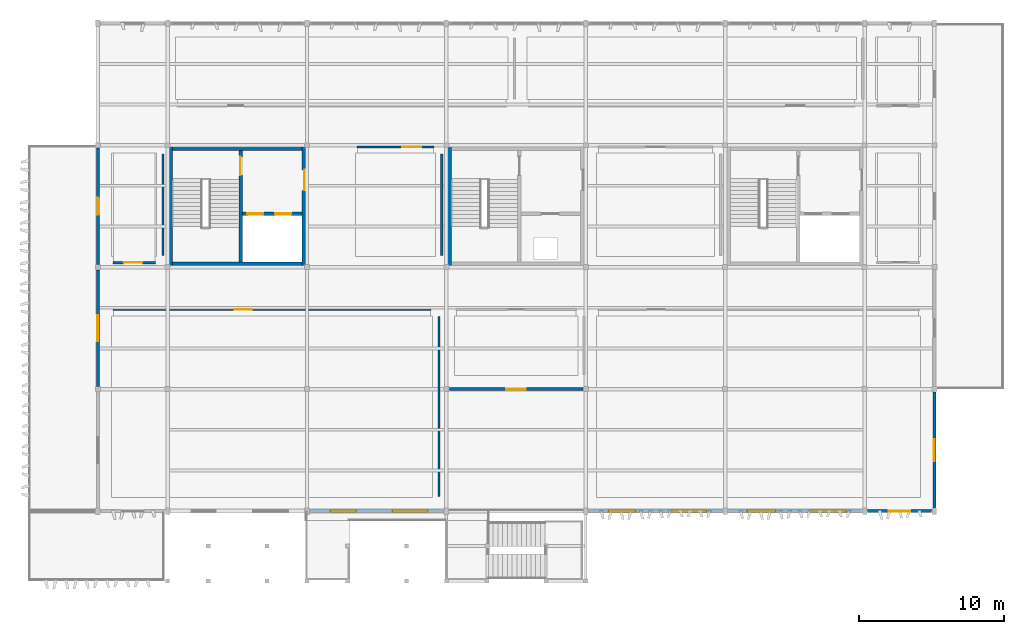
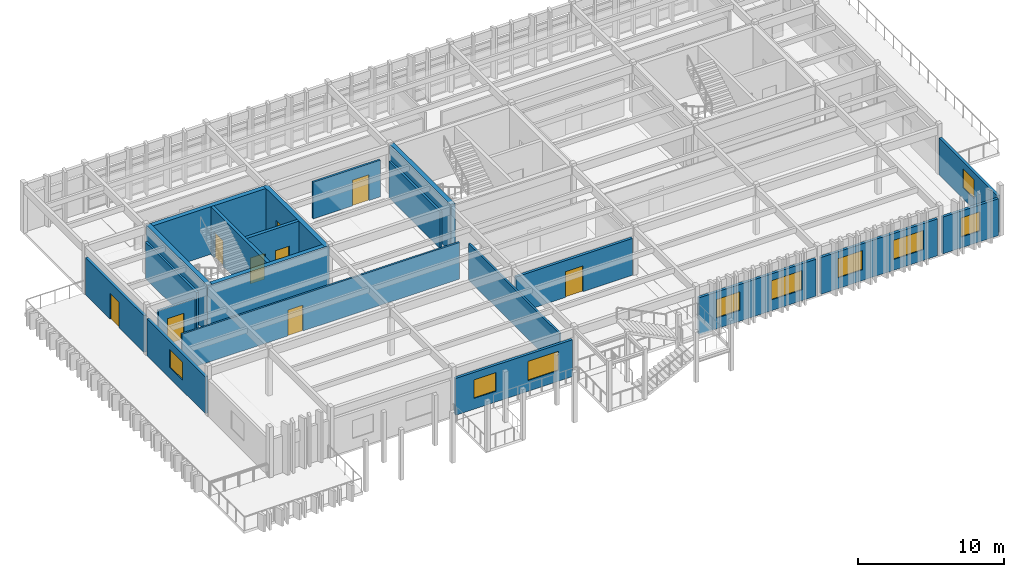
# One storey, part 8 of 14: 21 walls, 9 doors, 9 windows, 18 openings.
"""IFC4 building model written with IfcOpenShell, lengths in metres."""

import ifcopenshell
import ifcopenshell.guid

model = None  # the IFC model being written
_history = None  # IfcOwnerHistory: only IFC2X3 demands one
_inside = {}  # id of a spatial element -> (the spatial element, [elements in it])
_under = {}  # id of a project, library or spatial element -> (it, [spatial elements below it])
_declared = {}  # id of a project -> (the project, [libraries it declares])
_typed = {}  # id of a type object -> (the type object, [elements of that type])
_made_of = {}  # id of a material, layer set ... -> (it, [elements and type objects made of it])


def new_model(schema):
    """Start an empty IFC model of exactly this schema.

    Asked for "IFC4X3", IfcOpenShell would pick the latest addendum, in which some entities
    have other attributes; the version numbers below select the first issue.
    IFC2X3 requires an IfcOwnerHistory on every rooted entity: one is made here for all.
    """
    global model, _history
    if schema == "IFC4X3":
        model = ifcopenshell.file(schema_version=(4, 3, 0, 0))
    else:
        model = ifcopenshell.file(schema=schema)
    _inside.clear()
    _under.clear()
    _declared.clear()
    _typed.clear()
    _made_of.clear()
    _history = None
    if model.schema == "IFC2X3":
        org = make("IfcOrganization", Name="unknown")
        user = make(
            "IfcPersonAndOrganization",
            ThePerson=make("IfcPerson", FamilyName="unknown"),
            TheOrganization=org,
        )
        app = make(
            "IfcApplication",
            ApplicationDeveloper=org,
            Version="unknown",
            ApplicationFullName="unknown",
            ApplicationIdentifier="unknown",
        )
        _history = make(
            "IfcOwnerHistory",
            OwningUser=user,
            OwningApplication=app,
            ChangeAction="ADDED",
            CreationDate=0,
        )
    return model


def make(cls, **values):
    """One entity of the class cls with the attributes given. An attribute that is None is left unset."""
    return model.create_entity(
        cls, **{name: value for name, value in values.items() if value is not None}
    )


def rooted(cls, **values):
    """An entity with a GlobalId (a new one), such as an element, a storey or a relation."""
    return make(cls, GlobalId=ifcopenshell.guid.new(), OwnerHistory=_history, **values)


def si_unit(unit_type, name, prefix=None):
    """IfcSIUnit, for example si_unit("LENGTHUNIT", "METRE", prefix="MILLI")."""
    return make("IfcSIUnit", UnitType=unit_type, Prefix=prefix, Name=name)


def assignment(units):
    """IfcUnitAssignment: the units of a project."""
    return None if units is None else make("IfcUnitAssignment", Units=units)


def point(xyz):
    """IfcCartesianPoint."""
    return None if xyz is None else make("IfcCartesianPoint", Coordinates=xyz)


def direction(xyz):
    """IfcDirection."""
    return None if xyz is None else make("IfcDirection", DirectionRatios=xyz)


def frame(location, z_axis=None, x_axis=None):
    """IfcAxis2Placement3D, a coordinate frame: its origin and axes. An axis left out is left unset."""
    return make(
        "IfcAxis2Placement3D",
        Location=point(location),
        Axis=direction(z_axis),
        RefDirection=direction(x_axis),
    )


def frame_2d(location, x_axis=None):
    """IfcAxis2Placement2D, a coordinate frame in the plane: its origin and x axis."""
    return make(
        "IfcAxis2Placement2D", Location=point(location), RefDirection=direction(x_axis)
    )


def origin():
    """The frame at (0, 0, 0) with its axes left unset."""
    return frame((0.0, 0.0, 0.0))


def place(relative_to, where):
    """IfcLocalPlacement: puts the frame where relative to a parent placement (None: the world)."""
    return make(
        "IfcLocalPlacement", PlacementRelTo=relative_to, RelativePlacement=where
    )


def context(
    kind, dimensions, precision=None, world=None, true_north=None, identifier=None
):
    """IfcGeometricRepresentationContext, for example the 3D "Model" context."""
    return make(
        "IfcGeometricRepresentationContext",
        ContextIdentifier=identifier,
        ContextType=kind,
        CoordinateSpaceDimension=dimensions,
        Precision=precision,
        WorldCoordinateSystem=world,
        TrueNorth=true_north,
    )


def subcontext(parent, identifier, kind, view, scale=None):
    """IfcGeometricRepresentationSubContext, for example "Body" below "Model"."""
    return make(
        "IfcGeometricRepresentationSubContext",
        ContextIdentifier=identifier,
        ContextType=kind,
        ParentContext=parent,
        TargetScale=scale,
        TargetView=view,
    )


def project(units=None, contexts=None):
    """IfcProject with its units and contexts."""
    return rooted(
        "IfcProject",
        Name="project",
        RepresentationContexts=contexts,
        UnitsInContext=assignment(units),
    )


def spatial(cls, under=None, at=None, **own):
    """A site, building, storey or space (cls), placed at a placement, below another one or the project."""
    s = rooted(cls, ObjectPlacement=at, **own)
    if under is not None:
        _under.setdefault(under.id(), (under, []))[1].append(s)
    return s


def profile(cls, at=None, kind="AREA", **sizes):
    """A parametric profile (cls). Its sizes go by their IFC names, for example OverallWidth=200.0."""
    return make(cls, ProfileType=kind, Position=at, **sizes)


def rectangle(**sizes):
    """IfcRectangleProfileDef."""
    return profile("IfcRectangleProfileDef", **sizes)


def extrude(swept, where, along, depth):
    """IfcExtrudedAreaSolid: the profile swept, set in the frame where, extruded along a direction by depth."""
    return make(
        "IfcExtrudedAreaSolid",
        SweptArea=swept,
        Position=where,
        ExtrudedDirection=direction(along),
        Depth=depth,
    )


def shape(context_of_items, identifier, shape_type, items):
    """IfcShapeRepresentation: the items that make up one representation, for example the "Body"."""
    return make(
        "IfcShapeRepresentation",
        ContextOfItems=context_of_items,
        RepresentationIdentifier=identifier,
        RepresentationType=shape_type,
        Items=items,
    )


def material(Name=None, Category=None):
    """IfcMaterial."""
    return make("IfcMaterial", Name=Name, Category=Category)


def layer(
    of_material, thickness, ventilated=None, Name=None, Category=None, Priority=None
):
    """IfcMaterialLayer: one layer of a wall or slab, of a material (None: an air gap)."""
    return make(
        "IfcMaterialLayer",
        Material=of_material,
        LayerThickness=thickness,
        IsVentilated=ventilated,
        Name=Name,
        Category=Category,
        Priority=Priority,
    )


def layer_set(layers, Name=None):
    """IfcMaterialLayerSet."""
    return make("IfcMaterialLayerSet", MaterialLayers=layers, LayerSetName=Name)


def made_of(thing, what):
    """Note that an element or type object is made of a material, layer set ...; save() writes the relation."""
    if what is not None:
        _made_of.setdefault(what.id(), (what, []))[1].append(thing)
    return thing


def type_object(cls, material=None, **own):
    """A type object (cls), such as IfcWallType, which elements share."""
    return made_of(rooted(cls, **own), material)


def element(
    cls,
    number,
    at=None,
    inside=None,
    cuts=None,
    type_object=None,
    material=None,
    context=None,
    identifier="Body",
    shape_type=None,
    held_by="IfcProductDefinitionShape",
    body=None,
    shapes=None,
    **own,
):
    """One element of the class cls, such as IfcWall. Its Tag is "e" and its number.

    at: its placement. inside: the storey or other place that contains it. cuts: it is an
    opening in that element (IfcRelVoidsElement). A single representation is given by context,
    identifier, shape_type and body (its items); several are given by shapes. held_by: the class
    of the entity that holds the representations. save() writes the other relations.
    """
    e = rooted(cls, Tag="e%d" % number, ObjectPlacement=at, **own)
    if body is not None:
        shapes = [shape(context, identifier, shape_type, body)]
    if shapes is not None:
        e.Representation = make(held_by, Representations=shapes)
    if inside is not None:
        _inside.setdefault(inside.id(), (inside, []))[1].append(e)
    if cuts is not None:
        rooted(
            "IfcRelVoidsElement", RelatingBuildingElement=cuts, RelatedOpeningElement=e
        )
    if type_object is not None:
        _typed.setdefault(type_object.id(), (type_object, []))[1].append(e)
    return made_of(e, material)


def fill(opening, filler):
    """IfcRelFillsElement: the door or window that sits in an opening."""
    return rooted(
        "IfcRelFillsElement",
        RelatingOpeningElement=opening,
        RelatedBuildingElement=filler,
    )


def aggregate(whole, parts):
    """IfcRelAggregates: a whole, such as a stair, and the parts it consists of."""
    return rooted("IfcRelAggregates", RelatingObject=whole, RelatedObjects=parts)


def save(model, path):
    """Write the relations noted so far, then the file.

    IfcRelAggregates (storeys below a building ...), IfcRelContainedInSpatialStructure (elements
    in a storey), IfcRelDefinesByType, IfcRelAssociatesMaterial and IfcRelDeclares: one each for
    every whole, place, type object, material and project.
    """
    for whole, parts in _under.values():
        aggregate(whole, parts)
    for where, things in _inside.values():
        rooted(
            "IfcRelContainedInSpatialStructure",
            RelatedElements=things,
            RelatingStructure=where,
        )
    for kind, things in _typed.values():
        rooted("IfcRelDefinesByType", RelatedObjects=things, RelatingType=kind)
    for what, things in _made_of.values():
        rooted("IfcRelAssociatesMaterial", RelatedObjects=things, RelatingMaterial=what)
    for by, libraries in _declared.values():
        rooted("IfcRelDeclares", RelatingContext=by, RelatedDefinitions=libraries)
    model.write(path)


model = new_model("IFC4")

# Units and contexts
model_context = context("Model", 3, precision=1e-05, world=origin(), true_north=direction((0.0, 1.0)))
body_context = subcontext(model_context, "Body", "Model", "MODEL_VIEW")
ifc_project = project(units=[si_unit("LENGTHUNIT", "METRE"), si_unit("AREAUNIT", "SQUARE_METRE"), si_unit("VOLUMEUNIT", "CUBIC_METRE"), si_unit("PLANEANGLEUNIT", "RADIAN"), si_unit("MASSUNIT", "GRAM", prefix="KILO")], contexts=[model_context])

# Site, building, storey
site_placement = place(None, origin())
site = spatial("IfcSite", under=ifc_project, at=site_placement, CompositionType="ELEMENT")
building_placement = place(site_placement, origin())
building = spatial("IfcBuilding", under=site, at=building_placement, Name="Kolvemor Railside Polytechnic", CompositionType="ELEMENT")
storey_placement = place(building_placement, frame((0.0, 0.0, 22.800048828125)))
storey = spatial("IfcBuildingStorey", under=building, at=storey_placement, Name="L05", CompositionType="ELEMENT", Elevation=22.800048828125)

# Walls
ifc_material_1 = material(Name="Concrete C40/50", Category="concrete")
ifc_layer_1 = layer(ifc_material_1, 0.35009765625, Name="WL-CORE-350")
ifc_layer_set_1 = layer_set([ifc_layer_1], Name="Concrete C40/50")
wall_type_1 = type_object("IfcWallType", Name="WL-CORE-350", PredefinedType="SHEAR", material=ifc_layer_set_1)
for number, where, z_axis, x_axis, name in (
    (1, (67.199951171875, 29.824951171875, 0.0), (0.0, 0.0, 1.0), (1.0, 0.0, 0.0), "CORE-1 North Core Wall L05"),
    (2, (67.199951171875, 21.77490234375, 0.0), (0.0, 0.0, 1.0), (1.0, 0.0, 0.0), "CORE-1 South Core Wall L05"),
):
    element("IfcWall", number, at=place(storey_placement, frame(where, z_axis=z_axis, x_axis=x_axis)), inside=storey, type_object=wall_type_1, Name=name, PredefinedType="SHEAR", context=body_context, shape_type="SweptSolid", body=[
        extrude(rectangle(XDim=9.60009765625, YDim=0.35009765625, at=frame_2d((4.800048828125, 0.0))), origin(), (0.0, 0.0, 1.0), 3.969970703125),
    ])
wall_1_placement = place(storey_placement, frame((67.375, 21.60009765625, 0.0), z_axis=(0.0, 0.0, 1.0), x_axis=(0.0, 1.0, 0.0)))
element("IfcWall", 3, at=wall_1_placement, inside=storey, type_object=wall_type_1, Name="CORE-1 West Core Wall L05", PredefinedType="SHEAR", context=body_context, shape_type="SweptSolid", body=[
    extrude(rectangle(XDim=8.39990234375, YDim=0.35009765625, at=frame_2d((4.199951171875, 0.0))), origin(), (0.0, 0.0, 1.0), 3.969970703125),
])

# Wall, opening, door
wall_2_placement = place(storey_placement, frame((76.625, 21.60009765625, 0.0), z_axis=(0.0, 0.0, 1.0), x_axis=(0.0, 1.0, 0.0)))
wall_2 = element("IfcWall", 4, at=wall_2_placement, inside=storey, type_object=wall_type_1, Name="CORE-1 East Core Wall L05", PredefinedType="SHEAR", context=body_context, shape_type="SweptSolid", body=[
    extrude(rectangle(XDim=8.39990234375, YDim=0.35009765625, at=frame_2d((4.199951171875, 0.0))), origin(), (0.0, 0.0, 1.0), 3.969970703125),
])
opening_1_placement = place(wall_2_placement, frame((5.300048828125, 0.0, 0.0)))
opening_1 = element("IfcOpeningElement", 5, at=opening_1_placement, cuts=wall_2, Name="Opening D-LOB-1-L05", PredefinedType="OPENING", context=body_context, shape_type="SweptSolid", body=[
    extrude(rectangle(XDim=1.39990234375, YDim=2.14990234375, at=frame_2d((0.699951171875, 1.074951171875))), frame((0.0, 0.18505859375, 0.0), z_axis=(0.0, -1.0, 0.0), x_axis=(1.0, 0.0, 0.0)), (0.0, 0.0, 1.0), 0.3701171875),
])
ifc_material_2 = material(Name="Fire-rated hardwood and brushed stainless-steel door", Category="steel")
door_type_1 = type_object("IfcDoorType", Name="DR-FD60-140x215", OperationType="NOTDEFINED", PredefinedType="DOOR", material=ifc_material_2)
door_1_placement = place(opening_1_placement, origin())
door_1 = element("IfcDoor", 6, at=door_1_placement, inside=storey, type_object=door_type_1, Name="Core Lobby Fire Door CORE-1 L05", OperationType="SINGLE_SWING_RIGHT", OverallHeight=2.14990234375, OverallWidth=1.39990234375, PredefinedType="DOOR", context=body_context, shape_type="SweptSolid", body=[
    extrude(rectangle(XDim=1.39990234375, YDim=2.14990234375, at=frame_2d((0.699951171875, 1.074951171875))), frame((0.0, 0.02490234375, 0.0), z_axis=(0.0, -1.0, 0.0), x_axis=(1.0, 0.0, 0.0)), (0.0, 0.0, 1.0), 0.050048828125),
])
fill(opening_1, door_1)

# Wall
wall_3_placement = place(storey_placement, frame((86.574951171875, 21.60009765625, 0.0), z_axis=(0.0, 0.0, 1.0), x_axis=(0.0, 1.0, 0.0)))
element("IfcWall", 7, at=wall_3_placement, inside=storey, type_object=wall_type_1, Name="CORE-3 West Core Wall L05", PredefinedType="SHEAR", context=body_context, shape_type="SweptSolid", body=[
    extrude(rectangle(XDim=8.39990234375, YDim=0.35009765625, at=frame_2d((4.199951171875, 0.0))), origin(), (0.0, 0.0, 1.0), 3.969970703125),
])

# Wall, opening, window
ifc_material_3 = material(Name="Cross-laminated timber CLT E1", Category="wood")
ifc_layer_2 = layer(ifc_material_3, 0.2099609375, Name="WL-EXT-TM-210")
ifc_layer_set_2 = layer_set([ifc_layer_2], Name="Cross-laminated timber CLT E1")
wall_type_2 = type_object("IfcWallType", Name="WL-EXT-TM-210", PredefinedType="SOLIDWALL", material=ifc_layer_set_2)
wall_4_placement = place(storey_placement, frame((120.0, 5.0, 0.0), z_axis=(0.0, 0.0, 1.0), x_axis=(0.0, 1.0, 0.0)))
wall_4 = element("IfcWall", 8, at=wall_4_placement, inside=storey, type_object=wall_type_2, Name="Exterior Wall L05-0027", PredefinedType="SOLIDWALL", context=body_context, shape_type="SweptSolid", body=[
    extrude(rectangle(XDim=8.0, YDim=0.2099609375, at=frame_2d((4.0, 0.0))), origin(), (0.0, 0.0, 1.0), 3.070068359375),
])
opening_2_placement = place(wall_4_placement, frame((3.25, 0.0, 0.89990234375)))
opening_2 = element("IfcOpeningElement", 9, at=opening_2_placement, cuts=wall_4, Name="Opening WN-STU4", PredefinedType="OPENING", context=body_context, shape_type="SweptSolid", body=[
    extrude(rectangle(XDim=1.5, YDim=1.60009765625, at=frame_2d((0.75, 0.800048828125))), frame((0.0, 0.114990234375, 0.0), z_axis=(0.0, -1.0, 0.0), x_axis=(1.0, 0.0, 0.0)), (0.0, 0.0, 1.0), 0.22998046875),
])
ifc_material_4 = material(Name="Hurricane-laminated thermally broken aluminium window", Category="aluminium")
window_type_1 = type_object("IfcWindowType", Name="WN-STU-150x160", PartitioningType="SINGLE_PANEL", PredefinedType="WINDOW", material=ifc_material_4)
window_1_placement = place(opening_2_placement, origin())
window_1 = element("IfcWindow", 10, at=window_1_placement, inside=storey, type_object=window_type_1, Name="Window L05-0022", OverallHeight=1.60009765625, OverallWidth=1.5, PartitioningType="SINGLE_PANEL", PredefinedType="WINDOW", context=body_context, shape_type="SweptSolid", body=[
    extrude(rectangle(XDim=1.5, YDim=1.60009765625, at=frame_2d((0.75, 0.800048828125))), frame((0.0, 0.030029296875, 0.0), z_axis=(0.0, -1.0, 0.0), x_axis=(1.0, 0.0, 0.0)), (0.0, 0.0, 1.0), 0.06005859375),
])
fill(opening_2, window_1)

# Wall, openings, windows
wall_5_placement = place(storey_placement, frame((77.0, 4.800048828125, 0.0), z_axis=(0.0, 0.0, 1.0), x_axis=(1.0, 0.0, 0.0)))
wall_5 = element("IfcWall", 11, at=wall_5_placement, inside=storey, type_object=wall_type_2, Name="Exterior Wall L05-0140", PredefinedType="SOLIDWALL", context=body_context, shape_type="SweptSolid", body=[
    extrude(rectangle(XDim=9.199951171875, YDim=0.2099609375, at=frame_2d((4.60009765625, 0.0))), origin(), (0.0, 0.0, 1.0), 3.070068359375),
])
opening_3_placement = place(wall_5_placement, frame((1.425048828125, 0.0, 0.89990234375)))
opening_3 = element("IfcOpeningElement", 12, at=opening_3_placement, cuts=wall_5, Name="Opening WN-M05", PredefinedType="OPENING", context=body_context, shape_type="SweptSolid", body=[
    extrude(rectangle(XDim=1.75, YDim=1.550048828125, at=frame_2d((0.875, 0.77490234375))), frame((0.0, 0.114990234375, 0.0), z_axis=(0.0, -1.0, 0.0), x_axis=(1.0, 0.0, 0.0)), (0.0, 0.0, 1.0), 0.22998046875),
])
opening_4_placement = place(wall_5_placement, frame((5.699951171875, 0.0, 0.89990234375)))
opening_4 = element("IfcOpeningElement", 13, at=opening_4_placement, cuts=wall_5, Name="Opening WN-STU3", PredefinedType="OPENING", context=body_context, shape_type="SweptSolid", body=[
    extrude(rectangle(XDim=2.39990234375, YDim=1.60009765625, at=frame_2d((1.199951171875, 0.800048828125))), frame((0.0, 0.114990234375, 0.0), z_axis=(0.0, -1.0, 0.0), x_axis=(1.0, 0.0, 0.0)), (0.0, 0.0, 1.0), 0.22998046875),
])
ifc_material_5 = material(Name="Hurricane-laminated thermally broken aluminium window", Category="aluminium")
window_type_2 = type_object("IfcWindowType", Name="WN-MOD-175x155", PartitioningType="SINGLE_PANEL", PredefinedType="WINDOW", material=ifc_material_5)
window_2_placement = place(opening_3_placement, origin())
window_2 = element("IfcWindow", 14, at=window_2_placement, inside=storey, type_object=window_type_2, Name="Window L05-0150", OverallHeight=1.550048828125, OverallWidth=1.75, PartitioningType="SINGLE_PANEL", PredefinedType="WINDOW", context=body_context, shape_type="SweptSolid", body=[
    extrude(rectangle(XDim=1.75, YDim=1.550048828125, at=frame_2d((0.875, 0.77490234375))), frame((0.0, 0.030029296875, 0.0), z_axis=(0.0, -1.0, 0.0), x_axis=(1.0, 0.0, 0.0)), (0.0, 0.0, 1.0), 0.06005859375),
])
fill(opening_3, window_2)
ifc_material_6 = material(Name="Hurricane-laminated thermally broken aluminium window", Category="aluminium")
window_type_3 = type_object("IfcWindowType", Name="WN-STU-240x160", PartitioningType="DOUBLE_PANEL_VERTICAL", PredefinedType="WINDOW", material=ifc_material_6)
window_3_placement = place(opening_4_placement, origin())
window_3 = element("IfcWindow", 15, at=window_3_placement, inside=storey, type_object=window_type_3, Name="Window L05-0151", OverallHeight=1.60009765625, OverallWidth=2.39990234375, PartitioningType="SINGLE_PANEL", PredefinedType="WINDOW", context=body_context, shape_type="SweptSolid", body=[
    extrude(rectangle(XDim=2.39990234375, YDim=1.60009765625, at=frame_2d((1.199951171875, 0.800048828125))), frame((0.0, 0.030029296875, 0.0), z_axis=(0.0, -1.0, 0.0), x_axis=(1.0, 0.0, 0.0)), (0.0, 0.0, 1.0), 0.06005859375),
])
fill(opening_4, window_3)

wall_6_placement = place(storey_placement, frame((96.199951171875, 4.800048828125, 0.0), z_axis=(0.0, 0.0, 1.0), x_axis=(1.0, 0.0, 0.0)))
wall_6 = element("IfcWall", 16, at=wall_6_placement, inside=storey, type_object=wall_type_2, Name="Exterior Wall L05-0141", PredefinedType="SOLIDWALL", context=body_context, shape_type="SweptSolid", body=[
    extrude(rectangle(XDim=9.199951171875, YDim=0.2099609375, at=frame_2d((4.60009765625, 0.0))), origin(), (0.0, 0.0, 1.0), 3.070068359375),
])
opening_5_placement = place(wall_6_placement, frame((1.375, 0.0, 0.89990234375)))
opening_5 = element("IfcOpeningElement", 17, at=opening_5_placement, cuts=wall_6, Name="Opening WN-M06", PredefinedType="OPENING", context=body_context, shape_type="SweptSolid", body=[
    extrude(rectangle(XDim=1.85009765625, YDim=1.550048828125, at=frame_2d((0.925048828125, 0.77490234375))), frame((0.0, 0.114990234375, 0.0), z_axis=(0.0, -1.0, 0.0), x_axis=(1.0, 0.0, 0.0)), (0.0, 0.0, 1.0), 0.22998046875),
])
opening_6_placement = place(wall_6_placement, frame((5.699951171875, 0.0, 0.89990234375)))
opening_6 = element("IfcOpeningElement", 18, at=opening_6_placement, cuts=wall_6, Name="Opening WN-STU3", PredefinedType="OPENING", context=body_context, shape_type="SweptSolid", body=[
    extrude(rectangle(XDim=2.39990234375, YDim=1.60009765625, at=frame_2d((1.199951171875, 0.800048828125))), frame((0.0, 0.114990234375, 0.0), z_axis=(0.0, -1.0, 0.0), x_axis=(1.0, 0.0, 0.0)), (0.0, 0.0, 1.0), 0.22998046875),
])
ifc_material_7 = material(Name="Hurricane-laminated thermally broken aluminium window", Category="aluminium")
window_type_4 = type_object("IfcWindowType", Name="WN-MOD-185x155", PartitioningType="DOUBLE_PANEL_VERTICAL", PredefinedType="WINDOW", material=ifc_material_7)
window_4_placement = place(opening_5_placement, origin())
window_4 = element("IfcWindow", 19, at=window_4_placement, inside=storey, type_object=window_type_4, Name="Window L05-0152", OverallHeight=1.550048828125, OverallWidth=1.85009765625, PartitioningType="SINGLE_PANEL", PredefinedType="WINDOW", context=body_context, shape_type="SweptSolid", body=[
    extrude(rectangle(XDim=1.85009765625, YDim=1.550048828125, at=frame_2d((0.925048828125, 0.77490234375))), frame((0.0, 0.030029296875, 0.0), z_axis=(0.0, -1.0, 0.0), x_axis=(1.0, 0.0, 0.0)), (0.0, 0.0, 1.0), 0.06005859375),
])
fill(opening_5, window_4)
window_5_placement = place(opening_6_placement, origin())
window_5 = element("IfcWindow", 20, at=window_5_placement, inside=storey, type_object=window_type_3, Name="Window L05-0153", OverallHeight=1.60009765625, OverallWidth=2.39990234375, PartitioningType="SINGLE_PANEL", PredefinedType="WINDOW", context=body_context, shape_type="SweptSolid", body=[
    extrude(rectangle(XDim=2.39990234375, YDim=1.60009765625, at=frame_2d((1.199951171875, 0.800048828125))), frame((0.0, 0.030029296875, 0.0), z_axis=(0.0, -1.0, 0.0), x_axis=(1.0, 0.0, 0.0)), (0.0, 0.0, 1.0), 0.06005859375),
])
fill(opening_6, window_5)

wall_7_placement = place(storey_placement, frame((105.800048828125, 4.800048828125, 0.0), z_axis=(0.0, 0.0, 1.0), x_axis=(1.0, 0.0, 0.0)))
wall_7 = element("IfcWall", 21, at=wall_7_placement, inside=storey, type_object=wall_type_2, Name="Exterior Wall L05-0142", PredefinedType="SOLIDWALL", context=body_context, shape_type="SweptSolid", body=[
    extrude(rectangle(XDim=9.199951171875, YDim=0.2099609375, at=frame_2d((4.60009765625, 0.0))), origin(), (0.0, 0.0, 1.0), 3.070068359375),
])
opening_7_placement = place(wall_7_placement, frame((1.324951171875, 0.0, 0.89990234375)))
opening_7 = element("IfcOpeningElement", 22, at=opening_7_placement, cuts=wall_7, Name="Opening WN-M07", PredefinedType="OPENING", context=body_context, shape_type="SweptSolid", body=[
    extrude(rectangle(XDim=1.949951171875, YDim=1.60009765625, at=frame_2d((0.97509765625, 0.800048828125))), frame((0.0, 0.114990234375, 0.0), z_axis=(0.0, -1.0, 0.0), x_axis=(1.0, 0.0, 0.0)), (0.0, 0.0, 1.0), 0.22998046875),
])
opening_8_placement = place(wall_7_placement, frame((5.699951171875, 0.0, 0.89990234375)))
opening_8 = element("IfcOpeningElement", 23, at=opening_8_placement, cuts=wall_7, Name="Opening WN-STU3", PredefinedType="OPENING", context=body_context, shape_type="SweptSolid", body=[
    extrude(rectangle(XDim=2.39990234375, YDim=1.60009765625, at=frame_2d((1.199951171875, 0.800048828125))), frame((0.0, 0.114990234375, 0.0), z_axis=(0.0, -1.0, 0.0), x_axis=(1.0, 0.0, 0.0)), (0.0, 0.0, 1.0), 0.22998046875),
])
ifc_material_8 = material(Name="Hurricane-laminated thermally broken aluminium window", Category="aluminium")
window_type_5 = type_object("IfcWindowType", Name="WN-MOD-195x160", PartitioningType="DOUBLE_PANEL_VERTICAL", PredefinedType="WINDOW", material=ifc_material_8)
window_6_placement = place(opening_7_placement, origin())
window_6 = element("IfcWindow", 24, at=window_6_placement, inside=storey, type_object=window_type_5, Name="Window L05-0154", OverallHeight=1.60009765625, OverallWidth=1.949951171875, PartitioningType="SINGLE_PANEL", PredefinedType="WINDOW", context=body_context, shape_type="SweptSolid", body=[
    extrude(rectangle(XDim=1.949951171875, YDim=1.60009765625, at=frame_2d((0.97509765625, 0.800048828125))), frame((0.0, 0.030029296875, 0.0), z_axis=(0.0, -1.0, 0.0), x_axis=(1.0, 0.0, 0.0)), (0.0, 0.0, 1.0), 0.06005859375),
])
fill(opening_7, window_6)
window_7_placement = place(opening_8_placement, origin())
window_7 = element("IfcWindow", 25, at=window_7_placement, inside=storey, type_object=window_type_3, Name="Window L05-0155", OverallHeight=1.60009765625, OverallWidth=2.39990234375, PartitioningType="SINGLE_PANEL", PredefinedType="WINDOW", context=body_context, shape_type="SweptSolid", body=[
    extrude(rectangle(XDim=2.39990234375, YDim=1.60009765625, at=frame_2d((1.199951171875, 0.800048828125))), frame((0.0, 0.030029296875, 0.0), z_axis=(0.0, -1.0, 0.0), x_axis=(1.0, 0.0, 0.0)), (0.0, 0.0, 1.0), 0.06005859375),
])
fill(opening_8, window_7)

# Wall, opening, window
wall_8_placement = place(storey_placement, frame((115.39990234375, 4.800048828125, 0.0), z_axis=(0.0, 0.0, 1.0), x_axis=(1.0, 0.0, 0.0)))
wall_8 = element("IfcWall", 26, at=wall_8_placement, inside=storey, type_object=wall_type_2, Name="Exterior Wall L05-0143", PredefinedType="SOLIDWALL", context=body_context, shape_type="SweptSolid", body=[
    extrude(rectangle(XDim=4.400146484375, YDim=0.2099609375, at=frame_2d((2.2001953125, 0.0))), origin(), (0.0, 0.0, 1.0), 3.070068359375),
])
opening_9_placement = place(wall_8_placement, frame((1.449951171875, 0.0, 0.89990234375)))
opening_9 = element("IfcOpeningElement", 27, at=opening_9_placement, cuts=wall_8, Name="Opening WN-STU4", PredefinedType="OPENING", context=body_context, shape_type="SweptSolid", body=[
    extrude(rectangle(XDim=1.5, YDim=1.60009765625, at=frame_2d((0.75, 0.800048828125))), frame((0.0, 0.114990234375, 0.0), z_axis=(0.0, -1.0, 0.0), x_axis=(1.0, 0.0, 0.0)), (0.0, 0.0, 1.0), 0.22998046875),
])
window_8_placement = place(opening_9_placement, origin())
window_8 = element("IfcWindow", 28, at=window_8_placement, inside=storey, type_object=window_type_1, Name="Window L05-0156", OverallHeight=1.60009765625, OverallWidth=1.5, PartitioningType="SINGLE_PANEL", PredefinedType="WINDOW", context=body_context, shape_type="SweptSolid", body=[
    extrude(rectangle(XDim=1.5, YDim=1.60009765625, at=frame_2d((0.75, 0.800048828125))), frame((0.0, 0.030029296875, 0.0), z_axis=(0.0, -1.0, 0.0), x_axis=(1.0, 0.0, 0.0)), (0.0, 0.0, 1.0), 0.06005859375),
])
fill(opening_9, window_8)

# Wall, opening, door
wall_9_placement = place(storey_placement, frame((62.39990234375, 29.800048828125, 0.0), z_axis=(0.0, 0.0, 1.0), x_axis=(0.0, -1.0, 0.0)))
wall_9 = element("IfcWall", 29, at=wall_9_placement, inside=storey, type_object=wall_type_2, Name="Exterior Wall L05-0175", PredefinedType="SOLIDWALL", context=body_context, shape_type="SweptSolid", body=[
    extrude(rectangle(XDim=8.0, YDim=0.2099609375, at=frame_2d((4.0, 0.0))), origin(), (0.0, 0.0, 1.0), 3.070068359375),
])
opening_10_placement = place(wall_9_placement, frame((3.39990234375, 0.0, 0.0)))
opening_10 = element("IfcOpeningElement", 30, at=opening_10_placement, cuts=wall_9, Name="Opening D-TER-L05W", PredefinedType="OPENING", context=body_context, shape_type="SweptSolid", body=[
    extrude(rectangle(XDim=1.199951171875, YDim=2.14990234375, at=frame_2d((0.60009765625, 1.074951171875))), frame((0.0, 0.114990234375, 0.0), z_axis=(0.0, -1.0, 0.0), x_axis=(1.0, 0.0, 0.0)), (0.0, 0.0, 1.0), 0.22998046875),
])
ifc_material_9 = material(Name="Marine-grade thermally broken aluminium and laminated glass door", Category="aluminium")
door_type_2 = type_object("IfcDoorType", Name="DR-TER-120x215", OperationType="NOTDEFINED", PredefinedType="DOOR", material=ifc_material_9)
door_2_placement = place(opening_10_placement, origin())
door_2 = element("IfcDoor", 31, at=door_2_placement, inside=storey, type_object=door_type_2, Name="Exterior Door D-TER-L05W", OperationType="SINGLE_SWING_LEFT", OverallHeight=2.14990234375, OverallWidth=1.199951171875, PredefinedType="DOOR", context=body_context, shape_type="SweptSolid", body=[
    extrude(rectangle(XDim=1.199951171875, YDim=2.14990234375, at=frame_2d((0.60009765625, 1.074951171875))), frame((0.0, 0.02490234375, 0.0), z_axis=(0.0, -1.0, 0.0), x_axis=(1.0, 0.0, 0.0)), (0.0, 0.0, 1.0), 0.050048828125),
])
fill(opening_10, door_2)

# Wall, opening, window
wall_10_placement = place(storey_placement, frame((62.39990234375, 21.39990234375, 0.0), z_axis=(0.0, 0.0, 1.0), x_axis=(0.0, -1.0, 0.0)))
wall_10 = element("IfcWall", 32, at=wall_10_placement, inside=storey, type_object=wall_type_2, Name="Exterior Wall L05-0176", PredefinedType="SOLIDWALL", context=body_context, shape_type="SweptSolid", body=[
    extrude(rectangle(XDim=8.0, YDim=0.2099609375, at=frame_2d((4.0, 0.0))), origin(), (0.0, 0.0, 1.0), 3.070068359375),
])
opening_11_placement = place(wall_10_placement, frame((3.10009765625, 0.0, 0.89990234375)))
opening_11 = element("IfcOpeningElement", 33, at=opening_11_placement, cuts=wall_10, Name="Opening WN-LAB", PredefinedType="OPENING", context=body_context, shape_type="SweptSolid", body=[
    extrude(rectangle(XDim=1.800048828125, YDim=1.5, at=frame_2d((0.89990234375, 0.75))), frame((0.0, 0.114990234375, 0.0), z_axis=(0.0, -1.0, 0.0), x_axis=(1.0, 0.0, 0.0)), (0.0, 0.0, 1.0), 0.22998046875),
])
ifc_material_10 = material(Name="Hurricane-laminated thermally broken aluminium window", Category="aluminium")
window_type_6 = type_object("IfcWindowType", Name="WN-LAB-180x150", PartitioningType="DOUBLE_PANEL_VERTICAL", PredefinedType="WINDOW", material=ifc_material_10)
window_9_placement = place(opening_11_placement, origin())
window_9 = element("IfcWindow", 34, at=window_9_placement, inside=storey, type_object=window_type_6, Name="Window L05-0179", OverallHeight=1.5, OverallWidth=1.800048828125, PartitioningType="SINGLE_PANEL", PredefinedType="WINDOW", context=body_context, shape_type="SweptSolid", body=[
    extrude(rectangle(XDim=1.800048828125, YDim=1.5, at=frame_2d((0.89990234375, 0.75))), frame((0.0, 0.030029296875, 0.0), z_axis=(0.0, -1.0, 0.0), x_axis=(1.0, 0.0, 0.0)), (0.0, 0.0, 1.0), 0.06005859375),
])
fill(opening_11, window_9)

# Wall, opening, door
wall_11_placement = place(storey_placement, frame((86.60009765625, 13.199951171875, 0.0), z_axis=(0.0, 0.0, 1.0), x_axis=(1.0, 0.0, 0.0)))
wall_11 = element("IfcWall", 35, at=wall_11_placement, inside=storey, type_object=wall_type_2, Name="Exterior Wall L05-0178", PredefinedType="SOLIDWALL", context=body_context, shape_type="SweptSolid", body=[
    extrude(rectangle(XDim=9.199951171875, YDim=0.2099609375, at=frame_2d((4.60009765625, 0.0))), origin(), (0.0, 0.0, 1.0), 3.070068359375),
])
opening_12_placement = place(wall_11_placement, frame((3.925048828125, 0.0, 0.0)))
opening_12 = element("IfcOpeningElement", 36, at=opening_12_placement, cuts=wall_11, Name="Opening D-TER-L05S", PredefinedType="OPENING", context=body_context, shape_type="SweptSolid", body=[
    extrude(rectangle(XDim=1.35009765625, YDim=2.14990234375, at=frame_2d((0.675048828125, 1.074951171875))), frame((0.0, 0.114990234375, 0.0), z_axis=(0.0, -1.0, 0.0), x_axis=(1.0, 0.0, 0.0)), (0.0, 0.0, 1.0), 0.22998046875),
])
ifc_material_11 = material(Name="Marine-grade thermally broken aluminium and laminated glass door", Category="aluminium")
door_type_3 = type_object("IfcDoorType", Name="DR-TER-135x215", OperationType="NOTDEFINED", PredefinedType="DOOR", material=ifc_material_11)
door_3_placement = place(opening_12_placement, origin())
door_3 = element("IfcDoor", 37, at=door_3_placement, inside=storey, type_object=door_type_3, Name="Exterior Door D-TER-L05S", OperationType="SINGLE_SWING_RIGHT", OverallHeight=2.14990234375, OverallWidth=1.35009765625, PredefinedType="DOOR", context=body_context, shape_type="SweptSolid", body=[
    extrude(rectangle(XDim=1.35009765625, YDim=2.14990234375, at=frame_2d((0.675048828125, 1.074951171875))), frame((0.0, 0.02490234375, 0.0), z_axis=(0.0, -1.0, 0.0), x_axis=(1.0, 0.0, 0.0)), (0.0, 0.0, 1.0), 0.050048828125),
])
fill(opening_12, door_3)

ifc_material_12 = material(Name="Acoustic studio partition")
ifc_layer_3 = layer(ifc_material_12, 0.14990234375, Name="WL-PART-150")
ifc_layer_set_3 = layer_set([ifc_layer_3], Name="Acoustic studio partition")
wall_type_3 = type_object("IfcWallType", Name="WL-PART-150", PredefinedType="PARTITIONING", material=ifc_layer_set_3)
wall_12_placement = place(storey_placement, frame((63.449951171875, 18.679931640625, 0.0), z_axis=(0.0, 0.0, 1.0), x_axis=(1.0, 0.0, 0.0)))
wall_12 = element("IfcWall", 38, at=wall_12_placement, inside=storey, type_object=wall_type_3, Name="Partition Wall L05-0208", PredefinedType="PARTITIONING", context=body_context, shape_type="SweptSolid", body=[
    extrude(rectangle(XDim=21.900146484375, YDim=0.14990234375, at=frame_2d((10.9501953125, 0.0))), origin(), (0.0, 0.0, 1.0), 3.050048828125),
])
opening_13_placement = place(wall_12_placement, frame((8.367919921875, 0.0, 0.0)))
opening_13 = element("IfcOpeningElement", 39, at=opening_13_placement, cuts=wall_12, Name="Opening D-05118", PredefinedType="OPENING", context=body_context, shape_type="SweptSolid", body=[
    extrude(rectangle(XDim=1.179931640625, YDim=2.14990234375, at=frame_2d((0.58984375, 1.074951171875))), frame((0.0, 0.0849609375, 0.0), z_axis=(0.0, -1.0, 0.0), x_axis=(1.0, 0.0, 0.0)), (0.0, 0.0, 1.0), 0.169921875),
])
ifc_material_13 = material(Name="Solid hardwood acoustic door", Category="wood")
door_type_4 = type_object("IfcDoorType", Name="DR-STU-118x215", OperationType="NOTDEFINED", PredefinedType="DOOR", material=ifc_material_13)
door_4_placement = place(opening_13_placement, origin())
door_4 = element("IfcDoor", 40, at=door_4_placement, inside=storey, type_object=door_type_4, Name="Room Door D-05118 (Senior Honours West Design Studio)", OperationType="SINGLE_SWING_LEFT", OverallHeight=2.14990234375, OverallWidth=1.179931640625, PredefinedType="DOOR", context=body_context, shape_type="SweptSolid", body=[
    extrude(rectangle(XDim=1.179931640625, YDim=2.14990234375, at=frame_2d((0.58984375, 1.074951171875))), frame((0.0, 0.02490234375, 0.0), z_axis=(0.0, -1.0, 0.0), x_axis=(1.0, 0.0, 0.0)), (0.0, 0.0, 1.0), 0.050048828125),
])
fill(opening_13, door_4)

# Wall
wall_13_placement = place(storey_placement, frame((85.8798828125, 5.800048828125, 0.0), z_axis=(0.0, 0.0, 1.0), x_axis=(0.0, 1.0, 0.0)))
element("IfcWall", 41, at=wall_13_placement, inside=storey, type_object=wall_type_3, Name="Demising Partition L05-0209", PredefinedType="PARTITIONING", context=body_context, shape_type="SweptSolid", body=[
    extrude(rectangle(XDim=12.39990234375, YDim=0.14990234375, at=frame_2d((6.199951171875, 0.0))), origin(), (0.0, 0.0, 1.0), 3.050048828125),
])

# Wall, opening, door
ifc_material_14 = material(Name="Fire-rated laboratory corridor partition")
ifc_layer_4 = layer(ifc_material_14, 0.1650390625, Name="WL-PART-165")
ifc_layer_set_4 = layer_set([ifc_layer_4], Name="Fire-rated laboratory corridor partition")
wall_type_4 = type_object("IfcWallType", Name="WL-PART-165", PredefinedType="PARTITIONING", material=ifc_layer_set_4)
wall_14_placement = place(storey_placement, frame((63.449951171875, 21.919921875, 0.0), z_axis=(0.0, 0.0, 1.0), x_axis=(1.0, 0.0, 0.0)))
wall_14 = element("IfcWall", 42, at=wall_14_placement, inside=storey, type_object=wall_type_4, Name="Partition Wall L05-0213", PredefinedType="PARTITIONING", context=body_context, shape_type="SweptSolid", body=[
    extrude(rectangle(XDim=2.900146484375, YDim=0.1650390625, at=frame_2d((1.4501953125, 0.0))), origin(), (0.0, 0.0, 1.0), 3.050048828125),
])
opening_14_placement = place(wall_14_placement, frame((0.719970703125, 0.0, 0.0)))
opening_14 = element("IfcOpeningElement", 43, at=opening_14_placement, cuts=wall_14, Name="Opening D-05121", PredefinedType="OPENING", context=body_context, shape_type="SweptSolid", body=[
    extrude(rectangle(XDim=1.300048828125, YDim=2.14990234375, at=frame_2d((0.64990234375, 1.074951171875))), frame((0.0, 0.092529296875, 0.0), z_axis=(0.0, -1.0, 0.0), x_axis=(1.0, 0.0, 0.0)), (0.0, 0.0, 1.0), 0.18505859375),
])
ifc_material_15 = material(Name="Fire-rated hardwood and brushed stainless-steel door", Category="steel")
door_type_5 = type_object("IfcDoorType", Name="DR-LAB-130x215", OperationType="NOTDEFINED", PredefinedType="DOOR", material=ifc_material_15)
door_5_placement = place(opening_14_placement, origin())
door_5 = element("IfcDoor", 44, at=door_5_placement, inside=storey, type_object=door_type_5, Name="Room Door D-05121 (High-Performance Computing and AI Laboratory)", OperationType="SINGLE_SWING_RIGHT", OverallHeight=2.14990234375, OverallWidth=1.300048828125, PredefinedType="DOOR", context=body_context, shape_type="SweptSolid", body=[
    extrude(rectangle(XDim=1.300048828125, YDim=2.14990234375, at=frame_2d((0.64990234375, 1.074951171875))), frame((0.0, 0.02490234375, 0.0), z_axis=(0.0, -1.0, 0.0), x_axis=(1.0, 0.0, 0.0)), (0.0, 0.0, 1.0), 0.050048828125),
])
fill(opening_14, door_5)

# Wall
wall_15_placement = place(storey_placement, frame((66.8798828125, 22.39990234375, 0.0), z_axis=(0.0, 0.0, 1.0), x_axis=(0.0, 1.0, 0.0)))
element("IfcWall", 45, at=wall_15_placement, inside=storey, type_object=wall_type_4, Name="Demising Partition L05-0214", PredefinedType="PARTITIONING", context=body_context, shape_type="SweptSolid", body=[
    extrude(rectangle(XDim=7.0, YDim=0.1650390625, at=frame_2d((3.5, 0.0))), origin(), (0.0, 0.0, 1.0), 3.050048828125),
])

# Wall, opening, door
wall_16_placement = place(storey_placement, frame((80.25, 29.8798828125, 0.0), z_axis=(0.0, 0.0, 1.0), x_axis=(1.0, 0.0, 0.0)))
wall_16 = element("IfcWall", 46, at=wall_16_placement, inside=storey, type_object=wall_type_4, Name="Partition Wall L05-0215", PredefinedType="PARTITIONING", context=body_context, shape_type="SweptSolid", body=[
    extrude(rectangle(XDim=5.300048828125, YDim=0.1650390625, at=frame_2d((2.64990234375, 0.0))), origin(), (0.0, 0.0, 1.0), 3.050048828125),
])
opening_15_placement = place(wall_16_placement, frame((3.1201171875, 0.0, 0.0)))
opening_15 = element("IfcOpeningElement", 47, at=opening_15_placement, cuts=wall_16, Name="Opening D-05122", PredefinedType="OPENING", context=body_context, shape_type="SweptSolid", body=[
    extrude(rectangle(XDim=1.300048828125, YDim=2.14990234375, at=frame_2d((0.64990234375, 1.074951171875))), frame((0.0, 0.092529296875, 0.0), z_axis=(0.0, -1.0, 0.0), x_axis=(1.0, 0.0, 0.0)), (0.0, 0.0, 1.0), 0.18505859375),
])
door_6_placement = place(opening_15_placement, origin())
door_6 = element("IfcDoor", 48, at=door_6_placement, inside=storey, type_object=door_type_5, Name="Room Door D-05122 (Human-Machine Interaction Laboratory)", OperationType="SINGLE_SWING_LEFT", OverallHeight=2.14990234375, OverallWidth=1.300048828125, PredefinedType="DOOR", context=body_context, shape_type="SweptSolid", body=[
    extrude(rectangle(XDim=1.300048828125, YDim=2.14990234375, at=frame_2d((0.64990234375, 1.074951171875))), frame((0.0, 0.02490234375, 0.0), z_axis=(0.0, -1.0, 0.0), x_axis=(1.0, 0.0, 0.0)), (0.0, 0.0, 1.0), 0.050048828125),
])
fill(opening_15, door_6)

# Wall
wall_17_placement = place(storey_placement, frame((86.080078125, 22.39990234375, 0.0), z_axis=(0.0, 0.0, 1.0), x_axis=(0.0, 1.0, 0.0)))
element("IfcWall", 49, at=wall_17_placement, inside=storey, type_object=wall_type_4, Name="Demising Partition L05-0216", PredefinedType="PARTITIONING", context=body_context, shape_type="SweptSolid", body=[
    extrude(rectangle(XDim=7.0, YDim=0.1650390625, at=frame_2d((3.5, 0.0))), origin(), (0.0, 0.0, 1.0), 3.050048828125),
])

# Wall, opening, door
ifc_material_16 = material(Name="Concrete C40/50", Category="concrete")
ifc_layer_5 = layer(ifc_material_16, 0.25, Name="WL-SHFT-250")
ifc_layer_set_5 = layer_set([ifc_layer_5], Name="Concrete C40/50")
wall_type_5 = type_object("IfcWallType", Name="WL-SHFT-250", PredefinedType="SHEAR", material=ifc_layer_set_5)
wall_18_placement = place(storey_placement, frame((72.22509765625, 29.64990234375, 0.0), z_axis=(0.0, 0.0, 1.0), x_axis=(0.0, -1.0, 0.0)))
wall_18 = element("IfcWall", 50, at=wall_18_placement, inside=storey, type_object=wall_type_5, Name="CORE-1 Stair-Lobby Divider Wall L05", PredefinedType="SHEAR", context=body_context, shape_type="SweptSolid", body=[
    extrude(rectangle(XDim=7.699951171875, YDim=0.25, at=frame_2d((3.85009765625, 0.0))), origin(), (0.0, 0.0, 1.0), 3.969970703125),
])
opening_16_placement = place(wall_18_placement, frame((0.449951171875, 0.0, 0.0)))
opening_16 = element("IfcOpeningElement", 51, at=opening_16_placement, cuts=wall_18, Name="Opening D-ST-1-L05", PredefinedType="OPENING", context=body_context, shape_type="SweptSolid", body=[
    extrude(rectangle(XDim=1.25, YDim=2.14990234375, at=frame_2d((0.625, 1.074951171875))), frame((0.0, 0.135009765625, 0.0), z_axis=(0.0, -1.0, 0.0), x_axis=(1.0, 0.0, 0.0)), (0.0, 0.0, 1.0), 0.27001953125),
])
ifc_material_17 = material(Name="Fire-rated hardwood and brushed stainless-steel door", Category="steel")
door_type_6 = type_object("IfcDoorType", Name="DR-FD90-125x215", OperationType="NOTDEFINED", PredefinedType="DOOR", material=ifc_material_17)
door_7_placement = place(opening_16_placement, origin())
door_7 = element("IfcDoor", 52, at=door_7_placement, inside=storey, type_object=door_type_6, Name="Stair Fire Door ST-1 L05", OperationType="SINGLE_SWING_LEFT", OverallHeight=2.14990234375, OverallWidth=1.25, PredefinedType="DOOR", context=body_context, shape_type="SweptSolid", body=[
    extrude(rectangle(XDim=1.25, YDim=2.14990234375, at=frame_2d((0.625, 1.074951171875))), frame((0.0, 0.02490234375, 0.0), z_axis=(0.0, -1.0, 0.0), x_axis=(1.0, 0.0, 0.0)), (0.0, 0.0, 1.0), 0.050048828125),
])
fill(opening_16, door_7)

# Wall, openings, doors
wall_19_placement = place(storey_placement, frame((72.35009765625, 25.27490234375, 0.0), z_axis=(0.0, 0.0, 1.0), x_axis=(1.0, 0.0, 0.0)))
wall_19 = element("IfcWall", 53, at=wall_19_placement, inside=storey, type_object=wall_type_5, Name="CORE-1 Lift Shaft Front Wall L05", PredefinedType="SHEAR", context=body_context, shape_type="SweptSolid", body=[
    extrude(rectangle(XDim=4.099853515625, YDim=0.25, at=frame_2d((2.0498046875, 0.0))), origin(), (0.0, 0.0, 1.0), 3.969970703125),
])
opening_17_placement = place(wall_19_placement, frame((0.35009765625, 0.0, 0.0)))
opening_17 = element("IfcOpeningElement", 54, at=opening_17_placement, cuts=wall_19, Name="Opening LD-FL-1-L05", PredefinedType="OPENING", context=body_context, shape_type="SweptSolid", body=[
    extrude(rectangle(XDim=1.10009765625, YDim=2.14990234375, at=frame_2d((0.550048828125, 1.074951171875))), frame((0.0, 0.135009765625, 0.0), z_axis=(0.0, -1.0, 0.0), x_axis=(1.0, 0.0, 0.0)), (0.0, 0.0, 1.0), 0.27001953125),
])
opening_18_placement = place(wall_19_placement, frame((2.25, 0.0, 0.0)))
opening_18 = element("IfcOpeningElement", 55, at=opening_18_placement, cuts=wall_19, Name="Opening LD-PL-1-L05", PredefinedType="OPENING", context=body_context, shape_type="SweptSolid", body=[
    extrude(rectangle(XDim=1.10009765625, YDim=2.14990234375, at=frame_2d((0.550048828125, 1.074951171875))), frame((0.0, 0.135009765625, 0.0), z_axis=(0.0, -1.0, 0.0), x_axis=(1.0, 0.0, 0.0)), (0.0, 0.0, 1.0), 0.27001953125),
])
ifc_material_18 = material(Name="Fire-rated hardwood and brushed stainless-steel door", Category="steel")
door_type_7 = type_object("IfcDoorType", Name="DR-LIFT-110x215", OperationType="SLIDING_TO_LEFT", PredefinedType="DOOR", material=ifc_material_18)
door_8_placement = place(opening_17_placement, origin())
door_8 = element("IfcDoor", 56, at=door_8_placement, inside=storey, type_object=door_type_7, Name="Lift Landing Sliding Door FL-1 L05", OperationType="SLIDING_TO_LEFT", OverallHeight=2.14990234375, OverallWidth=1.10009765625, PredefinedType="DOOR", context=body_context, shape_type="SweptSolid", body=[
    extrude(rectangle(XDim=1.10009765625, YDim=2.14990234375, at=frame_2d((0.550048828125, 1.074951171875))), frame((0.0, 0.02490234375, 0.0), z_axis=(0.0, -1.0, 0.0), x_axis=(1.0, 0.0, 0.0)), (0.0, 0.0, 1.0), 0.050048828125),
])
fill(opening_17, door_8)
door_9_placement = place(opening_18_placement, origin())
door_9 = element("IfcDoor", 57, at=door_9_placement, inside=storey, type_object=door_type_7, Name="Lift Landing Sliding Door PL-1 L05", OperationType="SLIDING_TO_LEFT", OverallHeight=2.14990234375, OverallWidth=1.10009765625, PredefinedType="DOOR", context=body_context, shape_type="SweptSolid", body=[
    extrude(rectangle(XDim=1.10009765625, YDim=2.14990234375, at=frame_2d((0.550048828125, 1.074951171875))), frame((0.0, 0.02490234375, 0.0), z_axis=(0.0, -1.0, 0.0), x_axis=(1.0, 0.0, 0.0)), (0.0, 0.0, 1.0), 0.050048828125),
])
fill(opening_18, door_9)

save(model, "model.ifc")
